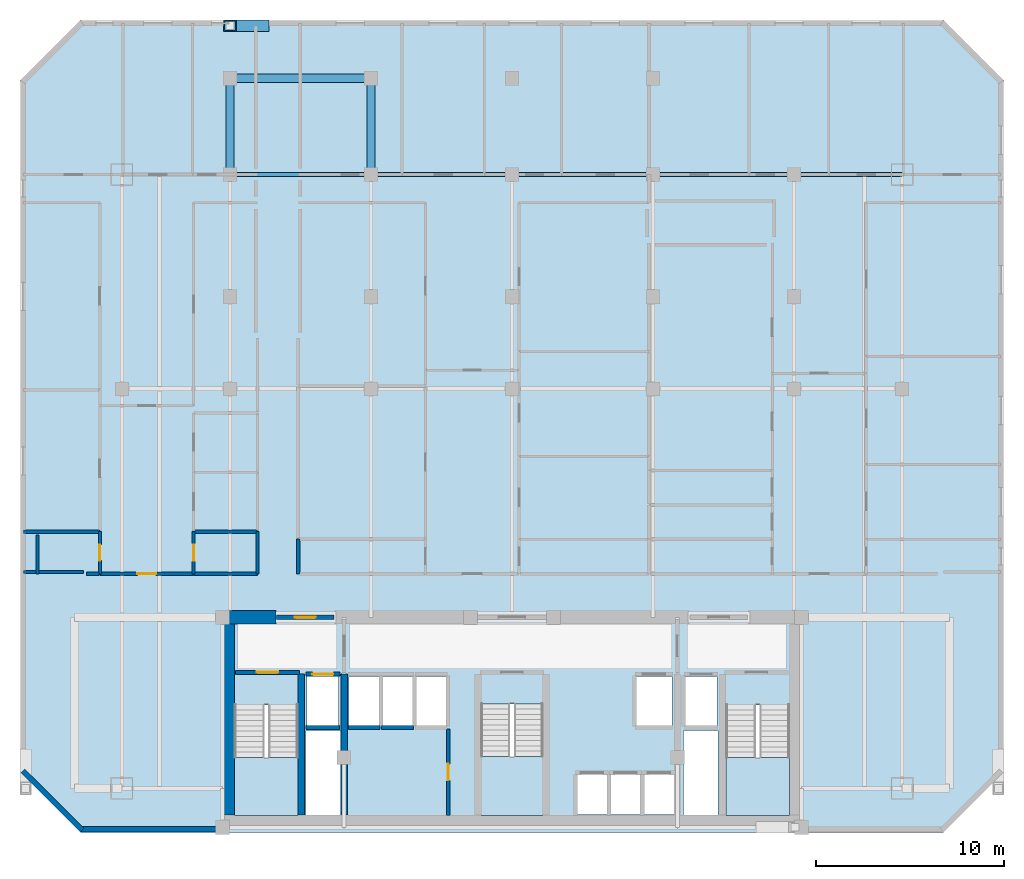
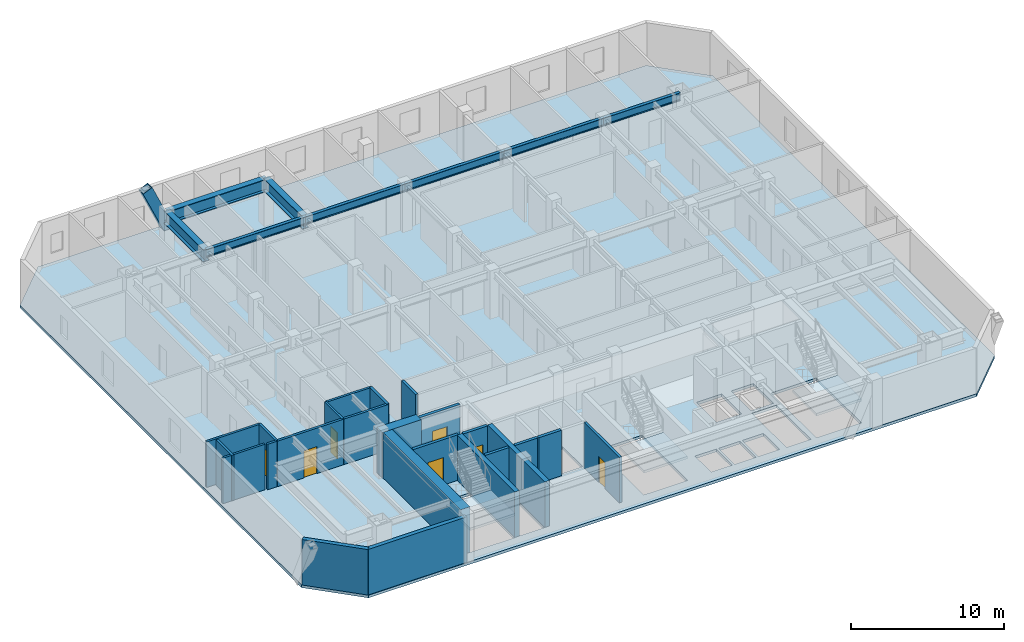
# One storey, part 2 of 9: 24 walls, 8 beams, 7 doors, 4 slabs, 1 member, 7 openings, 3 elements without a shape of their own.
"""IFC4 building model written with IfcOpenShell, lengths in metres."""

import ifcopenshell
import ifcopenshell.guid

model = None  # the IFC model being written
_history = None  # IfcOwnerHistory: only IFC2X3 demands one
_inside = {}  # id of a spatial element -> (the spatial element, [elements in it])
_under = {}  # id of a project, library or spatial element -> (it, [spatial elements below it])
_declared = {}  # id of a project -> (the project, [libraries it declares])
_typed = {}  # id of a type object -> (the type object, [elements of that type])
_made_of = {}  # id of a material, layer set ... -> (it, [elements and type objects made of it])


def new_model(schema):
    """Start an empty IFC model of exactly this schema.

    Asked for "IFC4X3", IfcOpenShell would pick the latest addendum, in which some entities
    have other attributes; the version numbers below select the first issue.
    IFC2X3 requires an IfcOwnerHistory on every rooted entity: one is made here for all.
    """
    global model, _history
    if schema == "IFC4X3":
        model = ifcopenshell.file(schema_version=(4, 3, 0, 0))
    else:
        model = ifcopenshell.file(schema=schema)
    _inside.clear()
    _under.clear()
    _declared.clear()
    _typed.clear()
    _made_of.clear()
    _history = None
    if model.schema == "IFC2X3":
        org = make("IfcOrganization", Name="unknown")
        user = make(
            "IfcPersonAndOrganization",
            ThePerson=make("IfcPerson", FamilyName="unknown"),
            TheOrganization=org,
        )
        app = make(
            "IfcApplication",
            ApplicationDeveloper=org,
            Version="unknown",
            ApplicationFullName="unknown",
            ApplicationIdentifier="unknown",
        )
        _history = make(
            "IfcOwnerHistory",
            OwningUser=user,
            OwningApplication=app,
            ChangeAction="ADDED",
            CreationDate=0,
        )
    return model


def make(cls, **values):
    """One entity of the class cls with the attributes given. An attribute that is None is left unset."""
    return model.create_entity(
        cls, **{name: value for name, value in values.items() if value is not None}
    )


def rooted(cls, **values):
    """An entity with a GlobalId (a new one), such as an element, a storey or a relation."""
    return make(cls, GlobalId=ifcopenshell.guid.new(), OwnerHistory=_history, **values)


def si_unit(unit_type, name, prefix=None):
    """IfcSIUnit, for example si_unit("LENGTHUNIT", "METRE", prefix="MILLI")."""
    return make("IfcSIUnit", UnitType=unit_type, Prefix=prefix, Name=name)


def assignment(units):
    """IfcUnitAssignment: the units of a project."""
    return None if units is None else make("IfcUnitAssignment", Units=units)


def point(xyz):
    """IfcCartesianPoint."""
    return None if xyz is None else make("IfcCartesianPoint", Coordinates=xyz)


def direction(xyz):
    """IfcDirection."""
    return None if xyz is None else make("IfcDirection", DirectionRatios=xyz)


def frame(location, z_axis=None, x_axis=None):
    """IfcAxis2Placement3D, a coordinate frame: its origin and axes. An axis left out is left unset."""
    return make(
        "IfcAxis2Placement3D",
        Location=point(location),
        Axis=direction(z_axis),
        RefDirection=direction(x_axis),
    )


def frame_2d(location, x_axis=None):
    """IfcAxis2Placement2D, a coordinate frame in the plane: its origin and x axis."""
    return make(
        "IfcAxis2Placement2D", Location=point(location), RefDirection=direction(x_axis)
    )


def origin():
    """The frame at (0, 0, 0) with its axes left unset."""
    return frame((0.0, 0.0, 0.0))


def origin_2d():
    """The frame at (0, 0) in the plane with its x axis left unset."""
    return frame_2d((0.0, 0.0))


def place(relative_to, where):
    """IfcLocalPlacement: puts the frame where relative to a parent placement (None: the world)."""
    return make(
        "IfcLocalPlacement", PlacementRelTo=relative_to, RelativePlacement=where
    )


def context(
    kind, dimensions, precision=None, world=None, true_north=None, identifier=None
):
    """IfcGeometricRepresentationContext, for example the 3D "Model" context."""
    return make(
        "IfcGeometricRepresentationContext",
        ContextIdentifier=identifier,
        ContextType=kind,
        CoordinateSpaceDimension=dimensions,
        Precision=precision,
        WorldCoordinateSystem=world,
        TrueNorth=true_north,
    )


def subcontext(parent, identifier, kind, view, scale=None):
    """IfcGeometricRepresentationSubContext, for example "Body" below "Model"."""
    return make(
        "IfcGeometricRepresentationSubContext",
        ContextIdentifier=identifier,
        ContextType=kind,
        ParentContext=parent,
        TargetScale=scale,
        TargetView=view,
    )


def project(units=None, contexts=None):
    """IfcProject with its units and contexts."""
    return rooted(
        "IfcProject",
        Name="project",
        RepresentationContexts=contexts,
        UnitsInContext=assignment(units),
    )


def spatial(cls, under=None, at=None, **own):
    """A site, building, storey or space (cls), placed at a placement, below another one or the project."""
    s = rooted(cls, ObjectPlacement=at, **own)
    if under is not None:
        _under.setdefault(under.id(), (under, []))[1].append(s)
    return s


def polyline(points):
    """IfcPolyline through the points."""
    return make("IfcPolyline", Points=[point(p) for p in points])


def profile(cls, at=None, kind="AREA", **sizes):
    """A parametric profile (cls). Its sizes go by their IFC names, for example OverallWidth=200.0."""
    return make(cls, ProfileType=kind, Position=at, **sizes)


def rectangle(**sizes):
    """IfcRectangleProfileDef."""
    return profile("IfcRectangleProfileDef", **sizes)


def hollow_rectangle(**sizes):
    """IfcRectangleHollowProfileDef."""
    return profile("IfcRectangleHollowProfileDef", **sizes)


def i_section(**sizes):
    """IfcIShapeProfileDef."""
    return profile("IfcIShapeProfileDef", **sizes)


def outline(outer, holes=None, kind="AREA"):
    """IfcArbitraryClosedProfileDef: a profile drawn as a closed curve; with holes, ...WithVoids."""
    if holes is None:
        return make("IfcArbitraryClosedProfileDef", ProfileType=kind, OuterCurve=outer)
    return make(
        "IfcArbitraryProfileDefWithVoids",
        ProfileType=kind,
        OuterCurve=outer,
        InnerCurves=holes,
    )


def extrude(swept, where, along, depth):
    """IfcExtrudedAreaSolid: the profile swept, set in the frame where, extruded along a direction by depth."""
    return make(
        "IfcExtrudedAreaSolid",
        SweptArea=swept,
        Position=where,
        ExtrudedDirection=direction(along),
        Depth=depth,
    )


def shape(context_of_items, identifier, shape_type, items):
    """IfcShapeRepresentation: the items that make up one representation, for example the "Body"."""
    return make(
        "IfcShapeRepresentation",
        ContextOfItems=context_of_items,
        RepresentationIdentifier=identifier,
        RepresentationType=shape_type,
        Items=items,
    )


def material(Name=None, Category=None):
    """IfcMaterial."""
    return make("IfcMaterial", Name=Name, Category=Category)


def layer(
    of_material, thickness, ventilated=None, Name=None, Category=None, Priority=None
):
    """IfcMaterialLayer: one layer of a wall or slab, of a material (None: an air gap)."""
    return make(
        "IfcMaterialLayer",
        Material=of_material,
        LayerThickness=thickness,
        IsVentilated=ventilated,
        Name=Name,
        Category=Category,
        Priority=Priority,
    )


def layer_set(layers, Name=None):
    """IfcMaterialLayerSet."""
    return make("IfcMaterialLayerSet", MaterialLayers=layers, LayerSetName=Name)


def material_profile(
    of_material, cross_section, Name=None, Category=None, Priority=None
):
    """IfcMaterialProfile: a cross section and its material."""
    return make(
        "IfcMaterialProfile",
        Name=Name,
        Material=of_material,
        Profile=cross_section,
        Priority=Priority,
        Category=Category,
    )


def profile_set(profiles, Name=None, composite=None):
    """IfcMaterialProfileSet."""
    return make(
        "IfcMaterialProfileSet",
        Name=Name,
        MaterialProfiles=profiles,
        CompositeProfile=composite,
    )


def made_of(thing, what):
    """Note that an element or type object is made of a material, layer set ...; save() writes the relation."""
    if what is not None:
        _made_of.setdefault(what.id(), (what, []))[1].append(thing)
    return thing


def type_object(cls, material=None, **own):
    """A type object (cls), such as IfcWallType, which elements share."""
    return made_of(rooted(cls, **own), material)


def element(
    cls,
    number,
    at=None,
    inside=None,
    cuts=None,
    type_object=None,
    material=None,
    context=None,
    identifier="Body",
    shape_type=None,
    held_by="IfcProductDefinitionShape",
    body=None,
    shapes=None,
    **own,
):
    """One element of the class cls, such as IfcWall. Its Tag is "e" and its number.

    at: its placement. inside: the storey or other place that contains it. cuts: it is an
    opening in that element (IfcRelVoidsElement). A single representation is given by context,
    identifier, shape_type and body (its items); several are given by shapes. held_by: the class
    of the entity that holds the representations. save() writes the other relations.
    """
    e = rooted(cls, Tag="e%d" % number, ObjectPlacement=at, **own)
    if body is not None:
        shapes = [shape(context, identifier, shape_type, body)]
    if shapes is not None:
        e.Representation = make(held_by, Representations=shapes)
    if inside is not None:
        _inside.setdefault(inside.id(), (inside, []))[1].append(e)
    if cuts is not None:
        rooted(
            "IfcRelVoidsElement", RelatingBuildingElement=cuts, RelatedOpeningElement=e
        )
    if type_object is not None:
        _typed.setdefault(type_object.id(), (type_object, []))[1].append(e)
    return made_of(e, material)


def fill(opening, filler):
    """IfcRelFillsElement: the door or window that sits in an opening."""
    return rooted(
        "IfcRelFillsElement",
        RelatingOpeningElement=opening,
        RelatedBuildingElement=filler,
    )


def aggregate(whole, parts):
    """IfcRelAggregates: a whole, such as a stair, and the parts it consists of."""
    return rooted("IfcRelAggregates", RelatingObject=whole, RelatedObjects=parts)


def save(model, path):
    """Write the relations noted so far, then the file.

    IfcRelAggregates (storeys below a building ...), IfcRelContainedInSpatialStructure (elements
    in a storey), IfcRelDefinesByType, IfcRelAssociatesMaterial and IfcRelDeclares: one each for
    every whole, place, type object, material and project.
    """
    for whole, parts in _under.values():
        aggregate(whole, parts)
    for where, things in _inside.values():
        rooted(
            "IfcRelContainedInSpatialStructure",
            RelatedElements=things,
            RelatingStructure=where,
        )
    for kind, things in _typed.values():
        rooted("IfcRelDefinesByType", RelatedObjects=things, RelatingType=kind)
    for what, things in _made_of.values():
        rooted("IfcRelAssociatesMaterial", RelatedObjects=things, RelatingMaterial=what)
    for by, libraries in _declared.values():
        rooted("IfcRelDeclares", RelatingContext=by, RelatedDefinitions=libraries)
    model.write(path)


model = new_model("IFC4")

# Units and contexts
model_context = context("Model", 3, precision=1e-05, world=origin(), true_north=direction((0.0, 1.0)))
body_context = subcontext(model_context, "Body", "Model", "MODEL_VIEW")
ifc_project = project(units=[si_unit("LENGTHUNIT", "METRE"), si_unit("AREAUNIT", "SQUARE_METRE"), si_unit("VOLUMEUNIT", "CUBIC_METRE"), si_unit("PLANEANGLEUNIT", "RADIAN"), si_unit("MASSUNIT", "GRAM", prefix="KILO")], contexts=[model_context])

# Site, building, storey
site_placement = place(None, origin())
site = spatial("IfcSite", under=ifc_project, at=site_placement, CompositionType="ELEMENT")
building_placement = place(site_placement, origin())
building = spatial("IfcBuilding", under=site, at=building_placement, Name="Ventersveld Concourse Tower", CompositionType="ELEMENT")
storey_placement = place(building_placement, frame((0.0, 0.0, 152.89990234375)))
storey = spatial("IfcBuildingStorey", under=building, at=storey_placement, Name="L37", CompositionType="ELEMENT", Elevation=152.89990234375)

# Beams
ifc_material_1 = material(Name="Structural steel S355J2", Category="steel")
ifc_material_profile_1 = material_profile(ifc_material_1, i_section(OverallWidth=0.230224609375, OverallDepth=0.6171875, WebThickness=0.01318359375, FlangeThickness=0.022216796875, FilletRadius=0.0126953125, at=origin_2d()), Name="UB 610x229x140")
ifc_profile_set_1 = profile_set([ifc_material_profile_1], Name="Structural steel S355J2")
beam_type_1 = type_object("IfcBeamType", Name="GRD-UB610", PredefinedType="USERDEFINED", material=ifc_profile_set_1)
for number, where, z_axis, x_axis, name in (
    (1, (13.75, 35.0, 3.321533203125), (1.0, 0.0, 0.0), (0.0, 1.0, 0.0), "L37 E-W Grid Girder Y=35.00 #2"),
    (2, (21.25, 35.0, 3.321533203125), (1.0, 0.0, 0.0), (0.0, 1.0, 0.0), "L37 E-W Grid Girder Y=35.00 #3"),
    (3, (28.75, 35.0, 3.321533203125), (1.0, 0.0, 0.0), (0.0, 1.0, 0.0), "L37 E-W Grid Girder Y=35.00 #4"),
    (4, (36.25, 35.0, 3.321533203125), (1.0, 0.0, 0.0), (0.0, 1.0, 0.0), "L37 E-W Grid Girder Y=35.00 #5"),
):
    element("IfcBeam", number, at=place(storey_placement, frame(where, z_axis=z_axis, x_axis=x_axis)), inside=storey, type_object=beam_type_1, Name=name, ObjectType="GIRDER", PredefinedType="USERDEFINED", context=body_context, shape_type="SweptSolid", body=[
        extrude(i_section(OverallWidth=0.230224609375, OverallDepth=0.6171875, WebThickness=0.01318359375, FlangeThickness=0.022216796875, FilletRadius=0.0126953125, at=origin_2d()), origin(), (0.0, 0.0, 1.0), 7.5),
    ])
beam_1_placement = place(storey_placement, frame((43.75, 35.0, 3.321533203125), z_axis=(1.0, 0.0, 0.0), x_axis=(0.0, 1.0, 0.0)))
element("IfcBeam", 5, at=beam_1_placement, inside=storey, type_object=beam_type_1, Name="L37 E-W Grid Girder Y=35.00 #6", ObjectType="GIRDER", PredefinedType="USERDEFINED", context=body_context, shape_type="SweptSolid", body=[
    extrude(i_section(OverallWidth=0.230224609375, OverallDepth=0.6171875, WebThickness=0.01318359375, FlangeThickness=0.022216796875, FilletRadius=0.0126953125, at=origin_2d()), origin(), (0.0, 0.0, 1.0), 5.75),
])

# Member
ifc_material_2 = material(Name="Structural steel S355ML", Category="steel")
ifc_material_profile_2 = material_profile(ifc_material_2, hollow_rectangle(XDim=0.60009765625, YDim=0.75, WallThickness=0.0400390625, at=origin_2d()), Name="BOX 750x600x40")
ifc_profile_set_2 = profile_set([ifc_material_profile_2], Name="Structural steel S355ML")
member_type = type_object("IfcMemberType", Name="MB-750x600", PredefinedType="BRACE", material=ifc_profile_set_2)
member_placement = place(storey_placement, frame((15.489501953125, 42.919921875, -0.219970703125), z_axis=(-0.411733807219, 0.0, 0.911304159978), x_axis=(0.0, -1.0, 0.0)))
element("IfcMember", 6, at=member_placement, inside=storey, type_object=member_type, Name="L37 Exterior Mega-Brace N (Module M08)", PredefinedType="BRACE", context=body_context, shape_type="SweptSolid", body=[
    extrude(hollow_rectangle(XDim=0.60009765625, YDim=0.75, WallThickness=0.0400390625, at=origin_2d()), origin(), (0.0, 0.0, 1.0), 4.224853515625),
])

# Beams
ifc_material_3 = material(Name="Structural steel S460ML", Category="steel")
ifc_material_profile_3 = material_profile(ifc_material_3, i_section(OverallWidth=0.449951171875, OverallDepth=1.0, WebThickness=0.02392578125, FlangeThickness=0.0400390625, at=origin_2d()), Name="PG 1000x450x40")
ifc_profile_set_3 = profile_set([ifc_material_profile_3], Name="Structural steel S460ML")
beam_type_2 = type_object("IfcBeamType", Name="TG-PG1000", PredefinedType="USERDEFINED", material=ifc_profile_set_3)
for number, where, z_axis, x_axis, name in (
    (7, (13.75, 35.0, 3.130126953125), (0.0, 1.0, 0.0), (-1.0, 0.0, 0.0), "L37 North Perimeter Setback Tie 1"),
    (8, (21.25, 35.0, 3.130126953125), (0.0, 1.0, 0.0), (-1.0, 0.0, 0.0), "L37 North Perimeter Setback Tie 2"),
):
    element("IfcBeam", number, at=place(storey_placement, frame(where, z_axis=z_axis, x_axis=x_axis)), inside=storey, type_object=beam_type_2, Name=name, ObjectType="TRANSFER_GIRDER", PredefinedType="USERDEFINED", context=body_context, shape_type="SweptSolid", body=[
        extrude(i_section(OverallWidth=0.449951171875, OverallDepth=1.0, WebThickness=0.02392578125, FlangeThickness=0.0400390625, at=origin_2d()), origin(), (0.0, 0.0, 1.0), 5.1201171875),
    ])
beam_2_placement = place(storey_placement, frame((13.75, 40.1201171875, 3.130126953125), z_axis=(1.0, 0.0, 0.0), x_axis=(0.0, 1.0, 0.0)))
element("IfcBeam", 9, at=beam_2_placement, inside=storey, type_object=beam_type_2, Name="L37 North Perimeter Setback Girder", ObjectType="TRANSFER_GIRDER", PredefinedType="USERDEFINED", context=body_context, shape_type="SweptSolid", body=[
    extrude(i_section(OverallWidth=0.449951171875, OverallDepth=1.0, WebThickness=0.02392578125, FlangeThickness=0.0400390625, at=origin_2d()), origin(), (0.0, 0.0, 1.0), 7.5),
])

# Slab
ifc_material_4 = material(Name="Concrete C50/60", Category="concrete")
ifc_layer_1 = layer(ifc_material_4, 0.219970703125)
ifc_layer_set_1 = layer_set([ifc_layer_1], Name="Concrete C50/60")
slab_type_1 = type_object("IfcSlabType", Name="SL-FLR-220", PredefinedType="FLOOR", material=ifc_layer_set_1)
slab_1_placement = place(storey_placement, frame((0.0, 0.0, -0.219970703125)))
element("IfcSlab", 10, at=slab_1_placement, inside=storey, type_object=slab_type_1, Name="L37 Composite Floor Slab", PredefinedType="FLOOR", context=body_context, shape_type="SweptSolid", body=[
    extrude(outline(polyline([(5.800048828125, 0.0), (51.699951171875, 0.0), (54.89990234375, 3.199951171875), (54.89990234375, 40.0), (51.699951171875, 43.199951171875), (5.800048828125, 43.199951171875), (2.60009765625, 40.0), (2.60009765625, 3.199951171875), (5.800048828125, 0.0)]), holes=[polyline([(13.97998046875, 6.794921875), (13.97998046875, 0.89990234375), (17.3798828125, 0.89990234375), (17.3798828125, 6.794921875), (13.97998046875, 6.794921875)]), polyline([(40.1201171875, 6.794921875), (40.1201171875, 0.89990234375), (43.52001953125, 0.89990234375), (43.52001953125, 6.794921875), (40.1201171875, 6.794921875)]), polyline([(27.10009765625, 6.844970703125), (27.10009765625, 0.89990234375), (30.39990234375, 0.89990234375), (30.39990234375, 6.844970703125), (27.10009765625, 6.844970703125)]), polyline([(17.85009765625, 5.699951171875), (19.530029296875, 5.699951171875), (19.530029296875, 8.300048828125), (17.85009765625, 8.300048828125), (17.85009765625, 5.699951171875)]), polyline([(37.969970703125, 5.699951171875), (39.64990234375, 5.699951171875), (39.64990234375, 8.300048828125), (37.969970703125, 8.300048828125), (37.969970703125, 5.699951171875)]), polyline([(35.35009765625, 5.699951171875), (37.25, 5.699951171875), (37.25, 8.300048828125), (35.35009765625, 8.300048828125), (35.35009765625, 5.699951171875)]), polyline([(32.2099609375, 0.949951171875), (33.81005859375, 0.949951171875), (33.81005859375, 3.050048828125), (32.2099609375, 3.050048828125), (32.2099609375, 0.949951171875)]), polyline([(33.989990234375, 0.949951171875), (35.590087890625, 0.949951171875), (35.590087890625, 3.050048828125), (33.989990234375, 3.050048828125), (33.989990234375, 0.949951171875)]), polyline([(35.77001953125, 0.949951171875), (37.3701171875, 0.949951171875), (37.3701171875, 3.050048828125), (35.77001953125, 3.050048828125), (35.77001953125, 0.949951171875)]), polyline([(20.090087890625, 5.699951171875), (21.68994140625, 5.699951171875), (21.68994140625, 8.300048828125), (20.090087890625, 8.300048828125), (20.090087890625, 5.699951171875)]), polyline([(21.8701171875, 5.699951171875), (23.469970703125, 5.699951171875), (23.469970703125, 8.300048828125), (21.8701171875, 8.300048828125), (21.8701171875, 5.699951171875)]), polyline([(23.64990234375, 5.699951171875), (25.25, 5.699951171875), (25.25, 8.300048828125), (23.64990234375, 8.300048828125), (23.64990234375, 5.699951171875)]), polyline([(17.780029296875, 0.919921875), (19.6201171875, 0.919921875), (19.6201171875, 5.419921875), (17.780029296875, 5.419921875), (17.780029296875, 0.919921875)]), polyline([(37.8798828125, 0.919921875), (39.719970703125, 0.919921875), (39.719970703125, 5.419921875), (37.8798828125, 5.419921875), (37.8798828125, 0.919921875)])]), origin(), (0.0, 0.0, 1.0), 0.219970703125),
])

# Stair, slab
stair_type_1 = type_object("IfcStairType", Name="ST-DOG-160", PredefinedType="HALF_TURN_STAIR", material=ifc_material_4)
stair_1_placement = place(storey_placement, origin())
stair_1 = element("IfcStair", 11, at=stair_1_placement, inside=storey, type_object=stair_type_1, Name="L37 Protected Tower Escape Stair ST-01", PredefinedType="HALF_TURN_STAIR")
ifc_layer_2 = layer(ifc_material_4, 0.199951171875)
ifc_layer_set_2 = layer_set([ifc_layer_2], Name="Concrete C50/60")
slab_type_2 = type_object("IfcSlabType", Name="SL-LND-200", PredefinedType="LANDING", material=ifc_layer_set_2)
slab_2_placement = place(storey_placement, frame((0.0, 0.0, 1.72509765625)))
slab_2 = element("IfcSlab", 12, at=slab_2_placement, type_object=slab_type_2, Name="ST-01 landing 1", PredefinedType="LANDING", context=body_context, shape_type="SweptSolid", body=[
    extrude(outline(polyline([(13.97998046875, 4.0), (13.97998046875, 0.89990234375), (17.3798828125, 0.89990234375), (17.3798828125, 4.0), (13.97998046875, 4.0)])), origin(), (0.0, 0.0, 1.0), 0.199951171875),
])
aggregate(stair_1, [slab_2])

stair_2_placement = place(storey_placement, origin())
stair_2 = element("IfcStair", 13, at=stair_2_placement, inside=storey, type_object=stair_type_1, Name="L37 Protected Tower Escape Stair ST-02", PredefinedType="HALF_TURN_STAIR")
slab_3_placement = place(storey_placement, frame((0.0, 0.0, 1.72509765625)))
slab_3 = element("IfcSlab", 14, at=slab_3_placement, type_object=slab_type_2, Name="ST-02 landing 1", PredefinedType="LANDING", context=body_context, shape_type="SweptSolid", body=[
    extrude(outline(polyline([(40.1201171875, 4.0), (40.1201171875, 0.89990234375), (43.52001953125, 0.89990234375), (43.52001953125, 4.0), (40.1201171875, 4.0)])), origin(), (0.0, 0.0, 1.0), 0.199951171875),
])
aggregate(stair_2, [slab_3])

stair_type_2 = type_object("IfcStairType", Name="ST-DOG-155", PredefinedType="HALF_TURN_STAIR", material=ifc_material_4)
stair_3_placement = place(storey_placement, origin())
stair_3 = element("IfcStair", 15, at=stair_3_placement, inside=storey, type_object=stair_type_2, Name="L37 Protected Central Core Escape Stair ST-03", PredefinedType="HALF_TURN_STAIR")
slab_4_placement = place(storey_placement, frame((0.0, 0.0, 1.72509765625)))
slab_4 = element("IfcSlab", 16, at=slab_4_placement, type_object=slab_type_2, Name="ST-03 landing 1", PredefinedType="LANDING", context=body_context, shape_type="SweptSolid", body=[
    extrude(outline(polyline([(27.10009765625, 4.050048828125), (27.10009765625, 0.89990234375), (30.39990234375, 0.89990234375), (30.39990234375, 4.050048828125), (27.10009765625, 4.050048828125)])), origin(), (0.0, 0.0, 1.0), 0.199951171875),
])
aggregate(stair_3, [slab_4])

# Walls
ifc_material_5 = material(Name="Concrete C60/75", Category="concrete")
ifc_layer_3 = layer(ifc_material_5, 0.35009765625)
ifc_layer_set_3 = layer_set([ifc_layer_3], Name="Concrete C60/75")
wall_type_1 = type_object("IfcWallType", Name="WL-CORE-350L", PredefinedType="SHEAR", material=ifc_layer_set_3)
for number, where, z_axis, x_axis, name in (
    (17, (17.5400390625, 0.919921875, 0.0), (0.0, 0.0, 1.0), (0.0, 1.0, 0.0), "L37 Core Internal Shear Web W-ST1-E"),
    (18, (19.820068359375, 0.919921875, 0.0), (0.0, 0.0, 1.0), (0.0, 1.0, 0.0), "L37 Core Internal Shear Web W-FF1-E"),
):
    element("IfcWall", number, at=place(storey_placement, frame(where, z_axis=z_axis, x_axis=x_axis)), inside=storey, type_object=wall_type_1, Name=name, PredefinedType="SHEAR", context=body_context, shape_type="SweptSolid", body=[
        extrude(rectangle(XDim=7.5, YDim=0.35009765625, at=frame_2d((3.75, 0.0))), origin(), (0.0, 0.0, 1.0), 3.630126953125),
    ])
ifc_layer_4 = layer(ifc_material_5, 0.699951171875)
ifc_layer_set_4 = layer_set([ifc_layer_4], Name="Concrete C60/75")
wall_type_2 = type_object("IfcWallType", Name="WL-CORE-700", PredefinedType="SHEAR", material=ifc_layer_set_4)
wall_1_placement = place(storey_placement, frame((13.64990234375, 0.919921875, 0.0), z_axis=(0.0, 0.0, 1.0), x_axis=(0.0, 1.0, 0.0)))
element("IfcWall", 19, at=wall_1_placement, inside=storey, type_object=wall_type_2, Name="L37 Rear Core West Shear Wall", PredefinedType="SHEAR", context=body_context, shape_type="SweptSolid", body=[
    extrude(rectangle(XDim=10.530029296875, YDim=0.699951171875, at=frame_2d((5.26513671875, 0.0))), origin(), (0.0, 0.0, 1.0), 3.630126953125),
])
wall_2_placement = place(storey_placement, frame((13.25, 11.449951171875, 0.0), z_axis=(0.0, 0.0, 1.0), x_axis=(1.0, 0.0, 0.0)))
element("IfcWall", 20, at=wall_2_placement, inside=storey, type_object=wall_type_2, Name="L37 Rear Core North Shear Wall NW", PredefinedType="SHEAR", context=body_context, shape_type="SweptSolid", body=[
    extrude(rectangle(XDim=2.949951171875, YDim=0.699951171875, at=frame_2d((1.47509765625, 0.0))), origin(), (0.0, 0.0, 1.0), 3.630126953125),
])

# Wall, opening, door
ifc_material_6 = material(Name="Fire-rated autoclaved aerated masonry blockwork", Category="masonry")
ifc_layer_5 = layer(ifc_material_6, 0.179931640625)
ifc_layer_set_5 = layer_set([ifc_layer_5], Name="Fire-rated autoclaved aerated masonry blockwork")
wall_type_3 = type_object("IfcWallType", Name="WL-CORR-180", PredefinedType="PARTITIONING", material=ifc_layer_set_5)
wall_3_placement = place(storey_placement, frame((25.35009765625, 0.89990234375, 0.0), z_axis=(0.0, 0.0, 1.0), x_axis=(0.0, 1.0, 0.0)))
wall_3 = element("IfcWall", 21, at=wall_3_placement, inside=storey, type_object=wall_type_3, Name="L37 Core Passage Wall SP-L37-RECB1A", PredefinedType="PARTITIONING", context=body_context, shape_type="SweptSolid", body=[
    extrude(rectangle(XDim=4.6201171875, YDim=0.179931640625, at=frame_2d((2.31005859375, 0.0))), origin(), (0.0, 0.0, 1.0), 3.630126953125),
])
opening_1_placement = place(wall_3_placement, frame((1.8701171875, 0.0, 0.0)))
opening_1 = element("IfcOpeningElement", 22, at=opening_1_placement, cuts=wall_3, Name="Opening FD5", PredefinedType="OPENING", context=body_context, shape_type="SweptSolid", body=[
    extrude(rectangle(XDim=0.8798828125, YDim=2.050048828125, at=frame_2d((0.43994140625, 1.02490234375))), frame((0.0, 0.10009765625, 0.0), z_axis=(0.0, -1.0, 0.0), x_axis=(1.0, 0.0, 0.0)), (0.0, 0.0, 1.0), 0.199951171875),
])
ifc_material_7 = material(Name="Galvanised painted steel", Category="steel")
door_type_1 = type_object("IfcDoorType", Name="DR-RISER-088", OperationType="NOTDEFINED", PredefinedType="DOOR", material=ifc_material_7)
door_1_placement = place(opening_1_placement, origin())
door_1 = element("IfcDoor", 23, at=door_1_placement, inside=storey, type_object=door_type_1, Name="L37 Core Room Door L37 Reclaimed Core Meeting Pod (CD-L37-1809)", OperationType="SINGLE_SWING_RIGHT", OverallHeight=2.050048828125, OverallWidth=0.8798828125, PredefinedType="DOOR", context=body_context, shape_type="SweptSolid", body=[
    extrude(rectangle(XDim=0.8798828125, YDim=2.050048828125, at=frame_2d((0.43994140625, 1.02490234375))), frame((0.0, 0.02490234375, 0.0), z_axis=(0.0, -1.0, 0.0), x_axis=(1.0, 0.0, 0.0)), (0.0, 0.0, 1.0), 0.050048828125),
])
fill(opening_1, door_1)

wall_4_placement = place(storey_placement, frame((6.824951171875, 13.77001953125, 0.0), z_axis=(0.0, 0.0, 1.0), x_axis=(1.0, 0.0, 0.0)))
wall_4 = element("IfcWall", 24, at=wall_4_placement, inside=storey, type_object=wall_type_3, Name="L37 Interior Partition SP-L37-COR-SP-L37-37NW-FOY", PredefinedType="PARTITIONING", context=body_context, shape_type="SweptSolid", body=[
    extrude(rectangle(XDim=4.989990234375, YDim=0.179931640625, at=frame_2d((2.4951171875, 0.0))), origin(), (0.0, 0.0, 1.0), 3.630126953125),
])
opening_2_placement = place(wall_4_placement, frame((1.9951171875, 0.0, 0.0)))
opening_2 = element("IfcOpeningElement", 25, at=opening_2_placement, cuts=wall_4, Name="Opening FD3", PredefinedType="OPENING", context=body_context, shape_type="SweptSolid", body=[
    extrude(rectangle(XDim=1.0, YDim=2.14990234375, at=frame_2d((0.5, 1.074951171875))), frame((0.0, 0.10009765625, 0.0), z_axis=(0.0, -1.0, 0.0), x_axis=(1.0, 0.0, 0.0)), (0.0, 0.0, 1.0), 0.199951171875),
])
ifc_material_8 = material(Name="Solid-core hardwood veneer timber", Category="wood")
door_type_2 = type_object("IfcDoorType", Name="DR-FLAT-100", OperationType="NOTDEFINED", PredefinedType="DOOR", material=ifc_material_8)
door_2_placement = place(opening_2_placement, origin())
door_2 = element("IfcDoor", 26, at=door_2_placement, inside=storey, type_object=door_type_2, Name="L37 Interior Door SP-L37-COR to SP-L37-37NW-FOY (FD-L37-1810)", OperationType="SINGLE_SWING_RIGHT", OverallHeight=2.14990234375, OverallWidth=1.0, PredefinedType="DOOR", context=body_context, shape_type="SweptSolid", body=[
    extrude(rectangle(XDim=1.0, YDim=2.14990234375, at=frame_2d((0.5, 1.074951171875))), frame((0.0, 0.02490234375, 0.0), z_axis=(0.0, -1.0, 0.0), x_axis=(1.0, 0.0, 0.0)), (0.0, 0.0, 1.0), 0.050048828125),
])
fill(opening_2, door_2)

# Walls
wall_5_placement = place(storey_placement, frame((6.10498046875, 13.77001953125, 0.0), z_axis=(0.0, 0.0, 1.0), x_axis=(1.0, 0.0, 0.0)))
element("IfcWall", 27, at=wall_5_placement, inside=storey, type_object=wall_type_3, Name="L37 Interior Partition SP-L37-COR-SP-L37-37NW-BATH", PredefinedType="PARTITIONING", context=body_context, shape_type="SweptSolid", body=[
    extrude(rectangle(XDim=0.68994140625, YDim=0.179931640625, at=frame_2d((0.344970703125, 0.0))), origin(), (0.0, 0.0, 1.0), 3.630126953125),
])
wall_6_placement = place(storey_placement, frame((11.844970703125, 13.77001953125, 0.0), z_axis=(0.0, 0.0, 1.0), x_axis=(1.0, 0.0, 0.0)))
element("IfcWall", 28, at=wall_6_placement, inside=storey, type_object=wall_type_3, Name="L37 Interior Partition SP-L37-COR-SP-L37-37NW-PWDR3", PredefinedType="PARTITIONING", context=body_context, shape_type="SweptSolid", body=[
    extrude(rectangle(XDim=3.3701171875, YDim=0.179931640625, at=frame_2d((1.68505859375, 0.0))), origin(), (0.0, 0.0, 1.0), 3.630126953125),
])
wall_7_placement = place(storey_placement, frame((15.2099609375, 13.764892578125, 0.0), z_axis=(0.0, 0.0, 1.0), x_axis=(0.0, 1.0, 0.0)))
element("IfcWall", 29, at=wall_7_placement, inside=storey, type_object=wall_type_3, Name="L37 Interior Partition SP-L37-COR-SP-L37-37NW-PWDR3", PredefinedType="PARTITIONING", context=body_context, shape_type="SweptSolid", body=[
    extrude(rectangle(XDim=2.23974609375, YDim=0.179931640625, at=frame_2d((1.119873046875, 0.0))), origin(), (0.0, 0.0, 1.0), 3.630126953125),
])
wall_8_placement = place(storey_placement, frame((17.389892578125, 13.764892578125, 0.0), z_axis=(0.0, 0.0, 1.0), x_axis=(0.0, 1.0, 0.0)))
element("IfcWall", 30, at=wall_8_placement, inside=storey, type_object=wall_type_3, Name="L37 Interior Partition SP-L37-COR-SP-L37-37N1-BATH", PredefinedType="PARTITIONING", context=body_context, shape_type="SweptSolid", body=[
    extrude(rectangle(XDim=1.840087890625, YDim=0.179931640625, at=frame_2d((0.919921875, 0.0))), origin(), (0.0, 0.0, 1.0), 3.630126953125),
])
ifc_layer_6 = layer(ifc_material_6, 0.219970703125)
ifc_layer_set_6 = layer_set([ifc_layer_6], Name="Fire-rated autoclaved aerated masonry blockwork")
wall_type_4 = type_object("IfcWallType", Name="WL-HOIST-220", PredefinedType="SOLIDWALL", material=ifc_layer_set_6)
wall_9_placement = place(storey_placement, frame((17.800048828125, 5.590087890625, 0.0), z_axis=(0.0, 0.0, 1.0), x_axis=(1.0, 0.0, 0.0)))
element("IfcWall", 31, at=wall_9_placement, inside=storey, type_object=wall_type_4, Name="L37 Lift Hoistway Back Wall FFL-01", PredefinedType="SOLIDWALL", context=body_context, shape_type="SweptSolid", body=[
    extrude(rectangle(XDim=1.780029296875, YDim=0.219970703125, at=frame_2d((0.89013671875, 0.0))), origin(), (0.0, 0.0, 1.0), 3.630126953125),
])

# Wall, opening, door
wall_10_placement = place(storey_placement, frame((17.780029296875, 8.429931640625, 0.0), z_axis=(0.0, 0.0, 1.0), x_axis=(1.0, 0.0, 0.0)))
wall_10 = element("IfcWall", 32, at=wall_10_placement, inside=storey, type_object=wall_type_4, Name="L37 Lift Hoistway Front Wall FFL-01", PredefinedType="SOLIDWALL", context=body_context, shape_type="SweptSolid", body=[
    extrude(rectangle(XDim=1.820068359375, YDim=0.219970703125, at=frame_2d((0.91015625, 0.0))), origin(), (0.0, 0.0, 1.0), 3.630126953125),
])
opening_3_placement = place(wall_10_placement, frame((0.35009765625, 0.0, 0.0)))
opening_3 = element("IfcOpeningElement", 33, at=opening_3_placement, cuts=wall_10, Name="Opening LD1", PredefinedType="OPENING", context=body_context, shape_type="SweptSolid", body=[
    extrude(rectangle(XDim=1.1201171875, YDim=2.25, at=frame_2d((0.56005859375, 1.125))), frame((0.0, 0.1201171875, 0.0), z_axis=(0.0, -1.0, 0.0), x_axis=(1.0, 0.0, 0.0)), (0.0, 0.0, 1.0), 0.239990234375),
])
ifc_material_9 = material(Name="Brushed stainless steel 316", Category="steel")
door_type_3 = type_object("IfcDoorType", Name="LD-FF-112", OperationType="SLIDING_TO_LEFT", PredefinedType="DOOR", material=ifc_material_9)
door_3_placement = place(opening_3_placement, origin())
door_3 = element("IfcDoor", 34, at=door_3_placement, inside=storey, type_object=door_type_3, Name="L37 Lift landing door FFL-01 (LD-L37-FFL-01)", OperationType="SLIDING_TO_LEFT", OverallHeight=2.25, OverallWidth=1.1201171875, PredefinedType="DOOR", context=body_context, shape_type="SweptSolid", body=[
    extrude(rectangle(XDim=1.1201171875, YDim=2.25, at=frame_2d((0.56005859375, 1.125))), frame((0.0, 0.02490234375, 0.0), z_axis=(0.0, -1.0, 0.0), x_axis=(1.0, 0.0, 0.0)), (0.0, 0.0, 1.0), 0.050048828125),
])
fill(opening_3, door_3)

# Walls
for number, where, z_axis, x_axis, name in (
    (35, (20.0400390625, 5.590087890625, 0.0), (0.0, 0.0, 1.0), (1.0, 0.0, 0.0), "L37 Lift Hoistway Back Wall PH-01"),
    (36, (21.820068359375, 5.590087890625, 0.0), (0.0, 0.0, 1.0), (1.0, 0.0, 0.0), "L37 Lift Hoistway Back Wall PH-02"),
):
    element("IfcWall", number, at=place(storey_placement, frame(where, z_axis=z_axis, x_axis=x_axis)), inside=storey, type_object=wall_type_4, Name=name, PredefinedType="SOLIDWALL", context=body_context, shape_type="SweptSolid", body=[
        extrude(rectangle(XDim=1.699951171875, YDim=0.219970703125, at=frame_2d((0.85009765625, 0.0))), origin(), (0.0, 0.0, 1.0), 3.630126953125),
    ])

# Wall, opening, door
wall_11_placement = place(storey_placement, frame((14.0400390625, 8.52001953125, 0.0), z_axis=(0.0, 0.0, 1.0), x_axis=(1.0, 0.0, 0.0)))
wall_11 = element("IfcWall", 37, at=wall_11_placement, inside=storey, type_object=wall_type_4, Name="L37 Escape Stair ST01 Fire Wall", PredefinedType="SOLIDWALL", context=body_context, shape_type="SweptSolid", body=[
    extrude(rectangle(XDim=3.39990234375, YDim=0.219970703125, at=frame_2d((1.699951171875, 0.0))), origin(), (0.0, 0.0, 1.0), 3.630126953125),
])
opening_4_placement = place(wall_11_placement, frame((1.125, 0.0, 0.0)))
opening_4 = element("IfcOpeningElement", 38, at=opening_4_placement, cuts=wall_11, Name="Opening FD1", PredefinedType="OPENING", context=body_context, shape_type="SweptSolid", body=[
    extrude(rectangle(XDim=1.14990234375, YDim=2.199951171875, at=frame_2d((0.574951171875, 1.10009765625))), frame((0.0, 0.1201171875, 0.0), z_axis=(0.0, -1.0, 0.0), x_axis=(1.0, 0.0, 0.0)), (0.0, 0.0, 1.0), 0.239990234375),
])
door_type_4 = type_object("IfcDoorType", Name="DR-STAIR-115", OperationType="NOTDEFINED", PredefinedType="DOOR", material=ifc_material_7)
door_4_placement = place(opening_4_placement, origin())
door_4 = element("IfcDoor", 39, at=door_4_placement, inside=storey, type_object=door_type_4, Name="L37 Escape Stair Door ST01 (SD-L37-1801)", OperationType="SINGLE_SWING_LEFT", OverallHeight=2.199951171875, OverallWidth=1.14990234375, PredefinedType="DOOR", context=body_context, shape_type="SweptSolid", body=[
    extrude(rectangle(XDim=1.14990234375, YDim=2.199951171875, at=frame_2d((0.574951171875, 1.10009765625))), frame((0.0, 0.02490234375, 0.0), z_axis=(0.0, -1.0, 0.0), x_axis=(1.0, 0.0, 0.0)), (0.0, 0.0, 1.0), 0.050048828125),
])
fill(opening_4, door_4)

wall_12_placement = place(storey_placement, frame((16.22998046875, 11.449951171875, 0.0), z_axis=(0.0, 0.0, 1.0), x_axis=(1.0, 0.0, 0.0)))
wall_12 = element("IfcWall", 40, at=wall_12_placement, inside=storey, type_object=wall_type_4, Name="L37 Core North Fire Portal FFLW-OUT", PredefinedType="SOLIDWALL", context=body_context, shape_type="SweptSolid", body=[
    extrude(rectangle(XDim=3.0400390625, YDim=0.219970703125, at=frame_2d((1.52001953125, 0.0))), origin(), (0.0, 0.0, 1.0), 3.630126953125),
])
opening_5_placement = place(wall_12_placement, frame((0.969970703125, 0.0, 0.0)))
opening_5 = element("IfcOpeningElement", 41, at=opening_5_placement, cuts=wall_12, Name="Opening FD2", PredefinedType="OPENING", context=body_context, shape_type="SweptSolid", body=[
    extrude(rectangle(XDim=1.10009765625, YDim=2.199951171875, at=frame_2d((0.550048828125, 1.10009765625))), frame((0.0, 0.1201171875, 0.0), z_axis=(0.0, -1.0, 0.0), x_axis=(1.0, 0.0, 0.0)), (0.0, 0.0, 1.0), 0.239990234375),
])
door_type_5 = type_object("IfcDoorType", Name="DR-FFL-110", OperationType="NOTDEFINED", PredefinedType="DOOR", material=ifc_material_7)
door_5_placement = place(opening_5_placement, origin())
door_5 = element("IfcDoor", 42, at=door_5_placement, inside=storey, type_object=door_type_5, Name="L37 Core Lobby Fire Door FFLW-OUT (FD-L37-1806)", OperationType="SINGLE_SWING_RIGHT", OverallHeight=2.199951171875, OverallWidth=1.10009765625, PredefinedType="DOOR", context=body_context, shape_type="SweptSolid", body=[
    extrude(rectangle(XDim=1.10009765625, YDim=2.199951171875, at=frame_2d((0.550048828125, 1.10009765625))), frame((0.0, 0.02490234375, 0.0), z_axis=(0.0, -1.0, 0.0), x_axis=(1.0, 0.0, 0.0)), (0.0, 0.0, 1.0), 0.050048828125),
])
fill(opening_5, door_5)

# Walls
ifc_material_10 = material(Name="Precast concrete C45/55", Category="concrete")
ifc_layer_7 = layer(ifc_material_10, 0.300048828125)
ifc_layer_set_7 = layer_set([ifc_layer_7], Name="Precast concrete C45/55")
wall_type_5 = type_object("IfcWallType", Name="WL-PREC-300", PredefinedType="SOLIDWALL", material=ifc_layer_set_7)
wall_13_placement = place(storey_placement, frame((5.840087890625, 0.179931640625, 0.0), z_axis=(0.0, 0.0, 1.0), x_axis=(1.0, 0.0, 0.0)))
element("IfcWall", 43, at=wall_13_placement, inside=storey, type_object=wall_type_5, Name="L37 South-West Flank Precast Wall", PredefinedType="SOLIDWALL", context=body_context, shape_type="SweptSolid", body=[
    extrude(rectangle(XDim=7.409912109375, YDim=0.300048828125, at=frame_2d((3.705078125, 0.0))), origin(), (0.0, 0.0, 1.0), 3.630126953125),
])
wall_14_placement = place(storey_placement, frame((2.734375, 3.27783203125, 0.0), z_axis=(0.0, 0.0, 1.0), x_axis=(0.707106781187, -0.707106781187, 0.0)))
element("IfcWall", 44, at=wall_14_placement, inside=storey, type_object=wall_type_5, Name="L37 Highveld Precast Facade Wall E08", PredefinedType="SOLIDWALL", context=body_context, shape_type="SweptSolid", body=[
    extrude(rectangle(XDim=4.4453125, YDim=0.300048828125, at=frame_2d((2.22265625, 0.0))), origin(), (0.0, 0.0, 1.0), 3.630126953125),
])

# Wall, opening, door
ifc_material_11 = material(Name="Autoclaved aerated masonry blockwork", Category="masonry")
ifc_layer_8 = layer(ifc_material_11, 0.1650390625)
ifc_layer_set_8 = layer_set([ifc_layer_8], Name="Autoclaved aerated masonry blockwork")
wall_type_6 = type_object("IfcWallType", Name="WL-WET-165", PredefinedType="PLUMBINGWALL", material=ifc_layer_set_8)
wall_15_placement = place(storey_placement, frame((6.830078125, 13.764892578125, 0.0), z_axis=(0.0, 0.0, 1.0), x_axis=(0.0, 1.0, 0.0)))
wall_15 = element("IfcWall", 45, at=wall_15_placement, inside=storey, type_object=wall_type_6, Name="L37 Interior Partition SP-L37-37NW-FOY-SP-L37-37NW-BATH", PredefinedType="PLUMBINGWALL", context=body_context, shape_type="SweptSolid", body=[
    extrude(rectangle(XDim=2.23974609375, YDim=0.1650390625, at=frame_2d((1.119873046875, 0.0))), origin(), (0.0, 0.0, 1.0), 3.630126953125),
])
opening_6_placement = place(wall_15_placement, frame((0.69482421875, 0.0, 0.0)))
opening_6 = element("IfcOpeningElement", 46, at=opening_6_placement, cuts=wall_15, Name="Opening ID2", PredefinedType="OPENING", context=body_context, shape_type="SweptSolid", body=[
    extrude(rectangle(XDim=0.85009765625, YDim=2.10009765625, at=frame_2d((0.425048828125, 1.050048828125))), frame((0.0, 0.092529296875, 0.0), z_axis=(0.0, -1.0, 0.0), x_axis=(1.0, 0.0, 0.0)), (0.0, 0.0, 1.0), 0.18505859375),
])
door_type_6 = type_object("IfcDoorType", Name="DR-BATH-085", OperationType="NOTDEFINED", PredefinedType="DOOR", material=ifc_material_8)
door_6_placement = place(opening_6_placement, origin())
door_6 = element("IfcDoor", 47, at=door_6_placement, inside=storey, type_object=door_type_6, Name="L37 Interior Door SP-L37-37NW-FOY to SP-L37-37NW-BATH (D-L37-1814)", OperationType="SINGLE_SWING_RIGHT", OverallHeight=2.10009765625, OverallWidth=0.85009765625, PredefinedType="DOOR", context=body_context, shape_type="SweptSolid", body=[
    extrude(rectangle(XDim=0.85009765625, YDim=2.10009765625, at=frame_2d((0.425048828125, 1.050048828125))), frame((0.0, 0.02490234375, 0.0), z_axis=(0.0, -1.0, 0.0), x_axis=(1.0, 0.0, 0.0)), (0.0, 0.0, 1.0), 0.050048828125),
])
fill(opening_6, door_6)

wall_16_placement = place(storey_placement, frame((11.81005859375, 13.764892578125, 0.0), z_axis=(0.0, 0.0, 1.0), x_axis=(0.0, 1.0, 0.0)))
wall_16 = element("IfcWall", 48, at=wall_16_placement, inside=storey, type_object=wall_type_6, Name="L37 Interior Partition SP-L37-37NW-FOY-SP-L37-37NW-PWDR3", PredefinedType="PLUMBINGWALL", context=body_context, shape_type="SweptSolid", body=[
    extrude(rectangle(XDim=2.23974609375, YDim=0.1650390625, at=frame_2d((1.119873046875, 0.0))), origin(), (0.0, 0.0, 1.0), 3.630126953125),
])
opening_7_placement = place(wall_16_placement, frame((0.69482421875, 0.0, 0.0)))
opening_7 = element("IfcOpeningElement", 49, at=opening_7_placement, cuts=wall_16, Name="Opening ID2", PredefinedType="OPENING", context=body_context, shape_type="SweptSolid", body=[
    extrude(rectangle(XDim=0.85009765625, YDim=2.10009765625, at=frame_2d((0.425048828125, 1.050048828125))), frame((0.0, 0.092529296875, 0.0), z_axis=(0.0, -1.0, 0.0), x_axis=(1.0, 0.0, 0.0)), (0.0, 0.0, 1.0), 0.18505859375),
])
door_7_placement = place(opening_7_placement, origin())
door_7 = element("IfcDoor", 50, at=door_7_placement, inside=storey, type_object=door_type_6, Name="L37 Interior Door SP-L37-37NW-FOY to SP-L37-37NW-PWDR3 (D-L37-1816)", OperationType="SINGLE_SWING_RIGHT", OverallHeight=2.10009765625, OverallWidth=0.85009765625, PredefinedType="DOOR", context=body_context, shape_type="SweptSolid", body=[
    extrude(rectangle(XDim=0.85009765625, YDim=2.10009765625, at=frame_2d((0.425048828125, 1.050048828125))), frame((0.0, 0.02490234375, 0.0), z_axis=(0.0, -1.0, 0.0), x_axis=(1.0, 0.0, 0.0)), (0.0, 0.0, 1.0), 0.050048828125),
])
fill(opening_7, door_7)

# Walls
wall_17_placement = place(storey_placement, frame((2.7724609375, 15.999755859375, 0.0), z_axis=(0.0, 0.0, 1.0), x_axis=(1.0, 0.0, 0.0)))
element("IfcWall", 51, at=wall_17_placement, inside=storey, type_object=wall_type_6, Name="L37 Interior Partition SP-L37-37NW-BATH-SP-L37-37NW-OFFL0", PredefinedType="PLUMBINGWALL", context=body_context, shape_type="SweptSolid", body=[
    extrude(rectangle(XDim=4.0625, YDim=0.1650390625, at=frame_2d((2.03125, 0.0))), origin(), (0.0, 0.0, 1.0), 3.630126953125),
])
wall_18_placement = place(storey_placement, frame((11.804931640625, 15.999755859375, 0.0), z_axis=(0.0, 0.0, 1.0), x_axis=(1.0, 0.0, 0.0)))
element("IfcWall", 52, at=wall_18_placement, inside=storey, type_object=wall_type_6, Name="L37 Interior Partition SP-L37-37NW-PWDR3-SP-L37-37NW-KIT", PredefinedType="PLUMBINGWALL", context=body_context, shape_type="SweptSolid", body=[
    extrude(rectangle(XDim=3.41015625, YDim=0.1650390625, at=frame_2d((1.705078125, 0.0))), origin(), (0.0, 0.0, 1.0), 3.630126953125),
])
wall_19_placement = place(storey_placement, frame((3.52001953125, 13.764892578125, 0.0), z_axis=(0.0, 0.0, 1.0), x_axis=(0.0, 1.0, 0.0)))
element("IfcWall", 53, at=wall_19_placement, inside=storey, type_object=wall_type_6, Name="L37 Room Enclosure Wall SP-L37-37NW-BATH", PredefinedType="PLUMBINGWALL", context=body_context, shape_type="SweptSolid", body=[
    extrude(rectangle(XDim=2.06982421875, YDim=0.1650390625, at=frame_2d((1.034912109375, 0.0))), origin(), (0.0, 0.0, 1.0), 3.630126953125),
])
wall_20_placement = place(storey_placement, frame((5.956298828125, 13.860107421875, 0.0), z_axis=(0.0, 0.0, 1.0), x_axis=(-1.0, 0.0, 0.0)))
element("IfcWall", 54, at=wall_20_placement, inside=storey, type_object=wall_type_6, Name="L37 Room Enclosure Wall SP-L37-37NW-BATH", PredefinedType="PLUMBINGWALL", context=body_context, shape_type="SweptSolid", body=[
    extrude(rectangle(XDim=3.183837890625, YDim=0.1650390625, at=frame_2d((1.591796875, 0.0))), origin(), (0.0, 0.0, 1.0), 3.630126953125),
])

save(model, "model.ifc")
